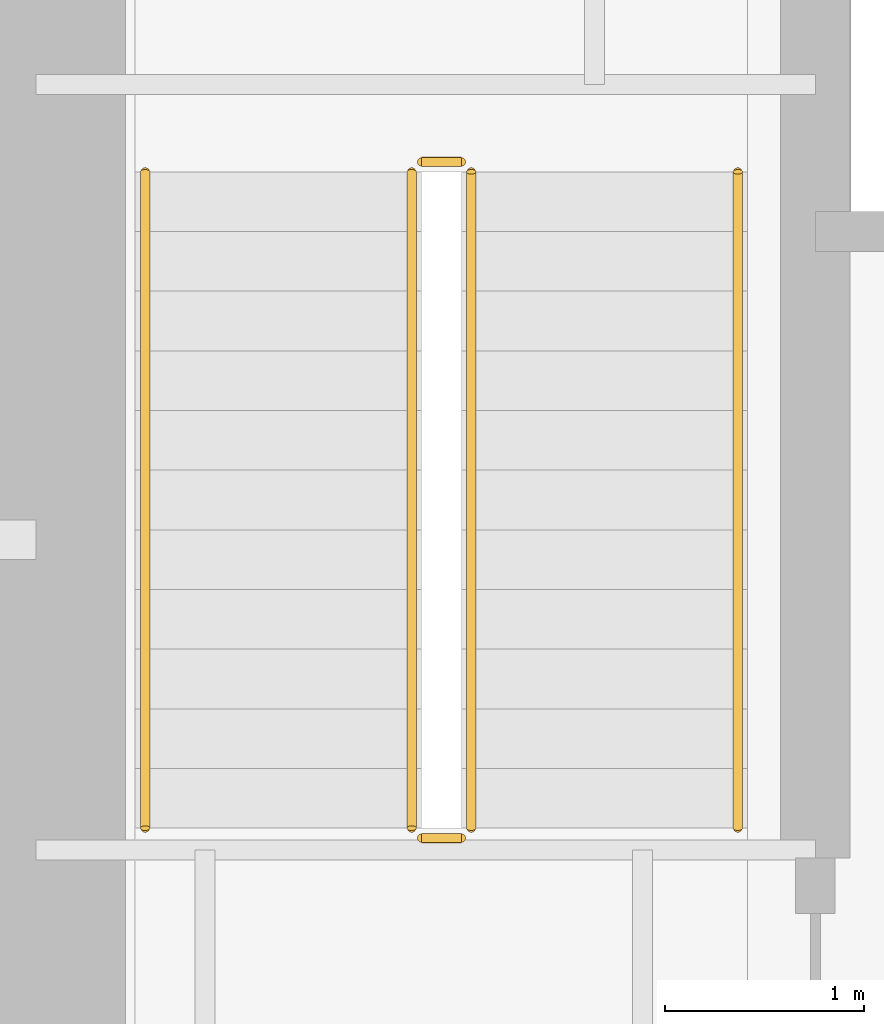
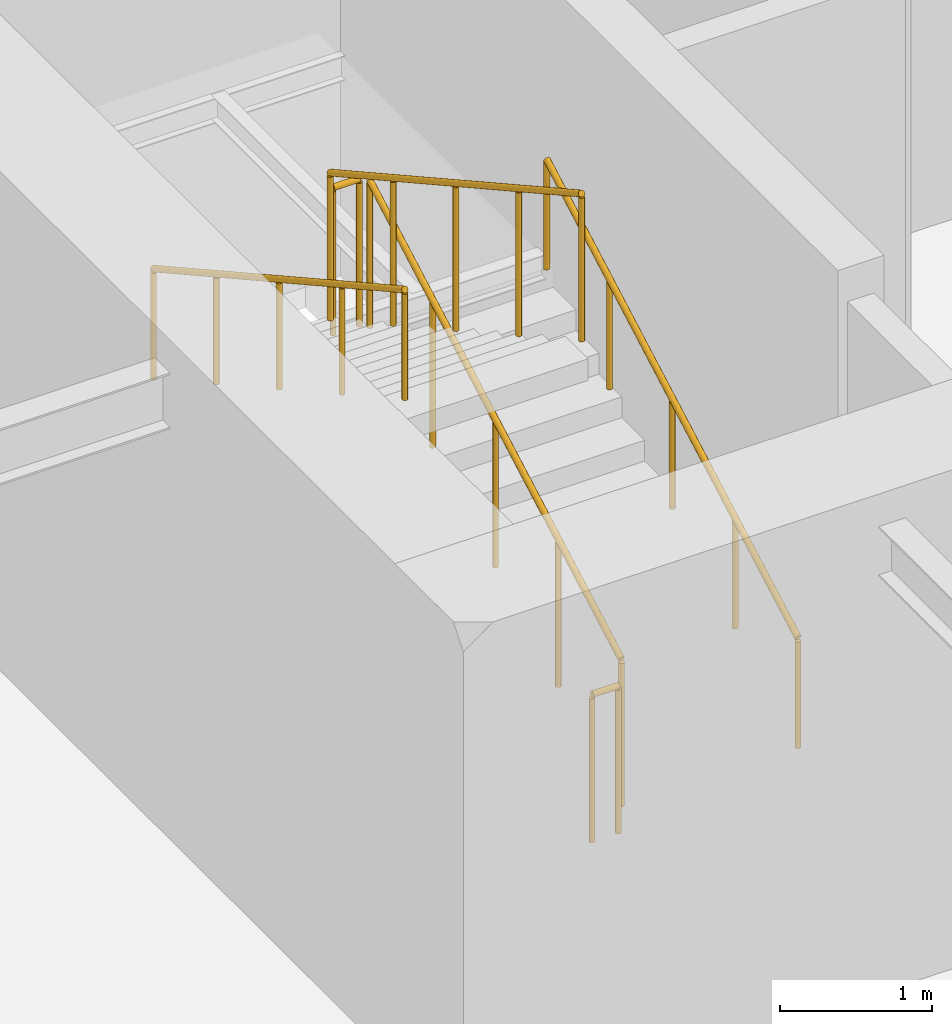
# One storey, part 22 of 25: 6 railings.
"""IFC4 building model written with IfcOpenShell, lengths in metres."""

from ifc_helpers import new_model, si_unit, direction, frame, origin, origin_2d, place, context, subcontext, project, spatial, circle, extrude, material, type_object, element, save


model = new_model("IFC4")

# Units and contexts
model_context = context("Model", 3, precision=1e-05, world=origin(), true_north=direction((0.0, 1.0)))
body_context = subcontext(model_context, "Body", "Model", "MODEL_VIEW")
ifc_project = project(units=[si_unit("LENGTHUNIT", "METRE"), si_unit("AREAUNIT", "SQUARE_METRE"), si_unit("VOLUMEUNIT", "CUBIC_METRE"), si_unit("PLANEANGLEUNIT", "RADIAN"), si_unit("MASSUNIT", "GRAM", prefix="KILO")], contexts=[model_context])

# Site, building, storey
site_placement = place(None, origin())
site = spatial("IfcSite", under=ifc_project, at=site_placement, CompositionType="ELEMENT")
building_placement = place(site_placement, origin())
building = spatial("IfcBuilding", under=site, at=building_placement, Name="Qiaolan Cultural Towers", CompositionType="ELEMENT")
storey_placement = place(building_placement, frame((0.0, 0.0, 22.0)))
storey = spatial("IfcBuildingStorey", under=building, at=storey_placement, Name="L04", CompositionType="ELEMENT", Elevation=22.0)

# Railings
ifc_material_1 = material(Name="Galvanized Painted Steel Stair Guardrail", Category="steel")
railing_type_1 = type_object("IfcRailingType", Name="RL-STAIR-GRD", PredefinedType="GUARDRAIL", material=ifc_material_1)
railing_1_placement = place(storey_placement, frame((23.989990234375, 48.449951171875, 0.166748046875)))
element("IfcRailing", 1, at=railing_1_placement, inside=storey, type_object=railing_type_1, Name="L04 ST-W2 stair guard 1", PredefinedType="GUARDRAIL", context=body_context, shape_type="SweptSolid", body=[
    extrude(circle(Radius=0.02392578125, at=origin_2d()), frame((0.0, 0.0, 1.17578125), z_axis=(0.0, 0.874169478083, 0.485620966999), x_axis=(-1.0, 0.0, 0.0)), (0.0, 0.0, 1.0), 3.775146484375),
    extrude(circle(Radius=0.02099609375, at=origin_2d()), origin(), (0.0, 0.0, 1.0), 1.15185546875),
    extrude(circle(Radius=0.02099609375, at=origin_2d()), frame((0.0, 0.824951171875, 0.458251953125)), (0.0, 0.0, 1.0), 1.15185546875),
    extrude(circle(Radius=0.02099609375, at=origin_2d()), frame((0.0, 1.64990234375, 0.91650390625)), (0.0, 0.0, 1.0), 1.15185546875),
    extrude(circle(Radius=0.02099609375, at=origin_2d()), frame((0.0, 2.47509765625, 1.375)), (0.0, 0.0, 1.0), 1.15185546875),
    extrude(circle(Radius=0.02099609375, at=origin_2d()), frame((0.0, 3.300048828125, 1.833251953125)), (0.0, 0.0, 1.0), 1.15185546875),
])
railing_2_placement = place(storey_placement, frame((23.93994140625, 51.800048828125, 2.0)))
element("IfcRailing", 2, at=railing_2_placement, inside=storey, type_object=railing_type_1, Name="L04 ST-W2 stair guard 2", PredefinedType="GUARDRAIL", context=body_context, shape_type="SweptSolid", body=[
    extrude(circle(Radius=0.02392578125, at=origin_2d()), frame((0.0, 0.0, 1.17578125), z_axis=(-1.0, 0.0, 0.0), x_axis=(0.0, -1.0, 0.0)), (0.0, 0.0, 1.0), 0.199951171875),
    extrude(circle(Radius=0.02099609375, at=origin_2d()), origin(), (0.0, 0.0, 1.0), 1.15185546875),
    extrude(circle(Radius=0.02099609375, at=origin_2d()), frame((-0.199951171875, 0.0, 0.0)), (0.0, 0.0, 1.0), 1.15185546875),
])
railing_3_placement = place(storey_placement, frame((23.68994140625, 51.75, 2.166748046875)))
element("IfcRailing", 3, at=railing_3_placement, inside=storey, type_object=railing_type_1, Name="L04 ST-W2 stair guard 3", PredefinedType="GUARDRAIL", context=body_context, shape_type="SweptSolid", body=[
    extrude(circle(Radius=0.02392578125, at=origin_2d()), frame((0.0, 0.0, 1.17578125), z_axis=(0.0, -0.874169478083, 0.485620966999), x_axis=(1.0, 0.0, 0.0)), (0.0, 0.0, 1.0), 3.775146484375),
    extrude(circle(Radius=0.02099609375, at=origin_2d()), origin(), (0.0, 0.0, 1.0), 1.15185546875),
    extrude(circle(Radius=0.02099609375, at=origin_2d()), frame((0.0, -0.824951171875, 0.458251953125)), (0.0, 0.0, 1.0), 1.15185546875),
    extrude(circle(Radius=0.02099609375, at=origin_2d()), frame((0.0, -1.64990234375, 0.91650390625)), (0.0, 0.0, 1.0), 1.15185546875),
    extrude(circle(Radius=0.02099609375, at=origin_2d()), frame((0.0, -2.47509765625, 1.375)), (0.0, 0.0, 1.0), 1.15185546875),
    extrude(circle(Radius=0.02099609375, at=origin_2d()), frame((0.0, -3.300048828125, 1.833251953125)), (0.0, 0.0, 1.0), 1.15185546875),
])
railing_4_placement = place(storey_placement, frame((23.93994140625, 48.39990234375, 0.0)))
element("IfcRailing", 4, at=railing_4_placement, inside=storey, type_object=railing_type_1, Name="L04 ST-W2 stair guard 4", PredefinedType="GUARDRAIL", context=body_context, shape_type="SweptSolid", body=[
    extrude(circle(Radius=0.02392578125, at=origin_2d()), frame((0.0, 0.0, 1.17578125), z_axis=(-1.0, 0.0, 0.0), x_axis=(0.0, -1.0, 0.0)), (0.0, 0.0, 1.0), 0.199951171875),
    extrude(circle(Radius=0.02099609375, at=origin_2d()), origin(), (0.0, 0.0, 1.0), 1.15185546875),
    extrude(circle(Radius=0.02099609375, at=origin_2d()), frame((-0.199951171875, 0.0, 0.0)), (0.0, 0.0, 1.0), 1.15185546875),
])
ifc_material_2 = material(Name="Stainless Steel S30408 Tubular Handrail", Category="steel")
railing_type_2 = type_object("IfcRailingType", Name="RL-STAIR-HR", PredefinedType="HANDRAIL", material=ifc_material_2)
railing_5_placement = place(storey_placement, frame((25.330078125, 48.449951171875, 0.166748046875)))
element("IfcRailing", 5, at=railing_5_placement, inside=storey, type_object=railing_type_2, Name="L04 ST-W2 stair handrail 1", PredefinedType="HANDRAIL", context=body_context, shape_type="SweptSolid", body=[
    extrude(circle(Radius=0.02392578125, at=origin_2d()), frame((0.0, 0.0, 0.8759765625), z_axis=(0.0, 0.874169478083, 0.485620966999), x_axis=(-1.0, 0.0, 0.0)), (0.0, 0.0, 1.0), 3.775146484375),
    extrude(circle(Radius=0.02099609375, at=origin_2d()), origin(), (0.0, 0.0, 1.0), 0.851806640625),
    extrude(circle(Radius=0.02099609375, at=origin_2d()), frame((0.0, 0.824951171875, 0.458251953125)), (0.0, 0.0, 1.0), 0.851806640625),
    extrude(circle(Radius=0.02099609375, at=origin_2d()), frame((0.0, 1.64990234375, 0.91650390625)), (0.0, 0.0, 1.0), 0.851806640625),
    extrude(circle(Radius=0.02099609375, at=origin_2d()), frame((0.0, 2.47509765625, 1.375)), (0.0, 0.0, 1.0), 0.851806640625),
    extrude(circle(Radius=0.02099609375, at=origin_2d()), frame((0.0, 3.300048828125, 1.833251953125)), (0.0, 0.0, 1.0), 0.851806640625),
])
railing_6_placement = place(storey_placement, frame((22.35009765625, 51.75, 2.166748046875)))
element("IfcRailing", 6, at=railing_6_placement, inside=storey, type_object=railing_type_2, Name="L04 ST-W2 stair handrail 2", PredefinedType="HANDRAIL", context=body_context, shape_type="SweptSolid", body=[
    extrude(circle(Radius=0.02392578125, at=origin_2d()), frame((0.0, 0.0, 0.8759765625), z_axis=(0.0, -0.874169478083, 0.485620966999), x_axis=(1.0, 0.0, 0.0)), (0.0, 0.0, 1.0), 3.775146484375),
    extrude(circle(Radius=0.02099609375, at=origin_2d()), origin(), (0.0, 0.0, 1.0), 0.851806640625),
    extrude(circle(Radius=0.02099609375, at=origin_2d()), frame((0.0, -0.824951171875, 0.458251953125)), (0.0, 0.0, 1.0), 0.851806640625),
    extrude(circle(Radius=0.02099609375, at=origin_2d()), frame((0.0, -1.64990234375, 0.91650390625)), (0.0, 0.0, 1.0), 0.851806640625),
    extrude(circle(Radius=0.02099609375, at=origin_2d()), frame((0.0, -2.47509765625, 1.375)), (0.0, 0.0, 1.0), 0.851806640625),
    extrude(circle(Radius=0.02099609375, at=origin_2d()), frame((0.0, -3.300048828125, 1.833251953125)), (0.0, 0.0, 1.0), 0.851806640625),
])

save(model, "model.ifc")
